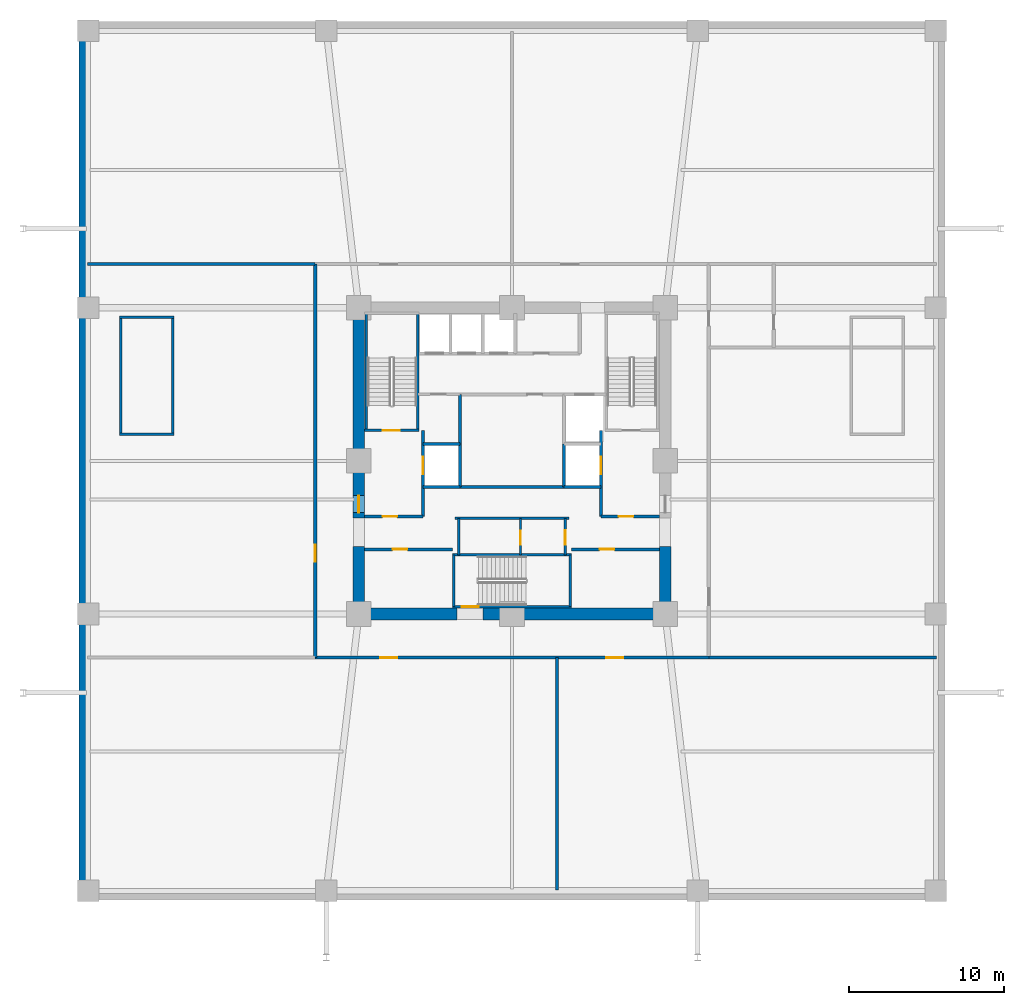
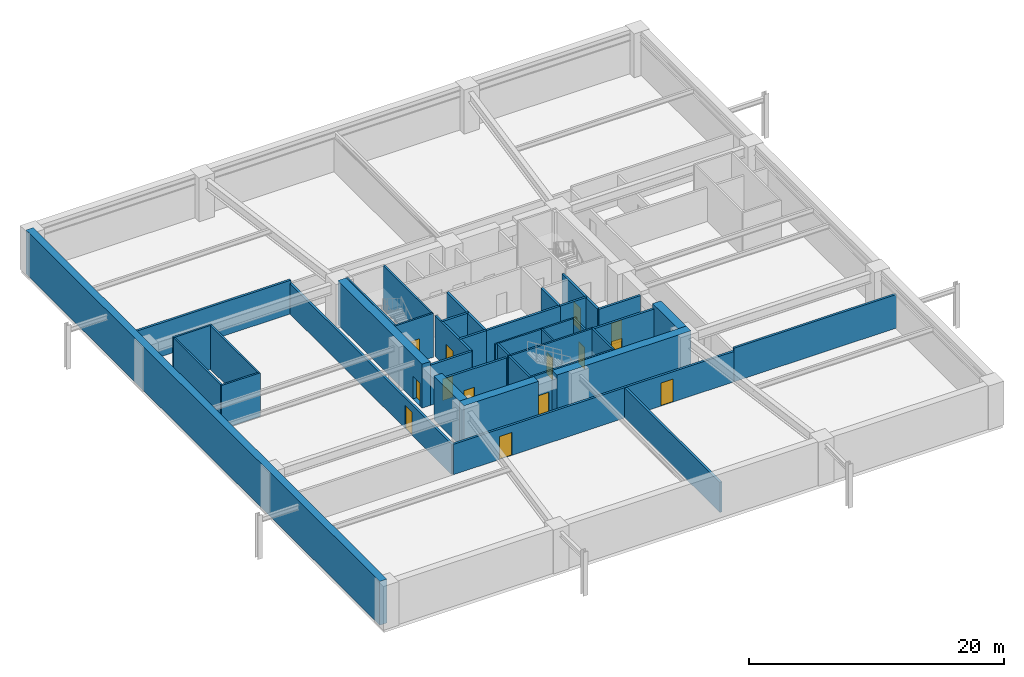
# One storey, part 2 of 5: 39 walls, 14 doors, 14 openings.
"""IFC4 building model written with IfcOpenShell, lengths in metres."""

import ifcopenshell
import ifcopenshell.guid

model = None  # the IFC model being written
_history = None  # IfcOwnerHistory: only IFC2X3 demands one
_inside = {}  # id of a spatial element -> (the spatial element, [elements in it])
_under = {}  # id of a project, library or spatial element -> (it, [spatial elements below it])
_declared = {}  # id of a project -> (the project, [libraries it declares])
_typed = {}  # id of a type object -> (the type object, [elements of that type])
_made_of = {}  # id of a material, layer set ... -> (it, [elements and type objects made of it])


def new_model(schema):
    """Start an empty IFC model of exactly this schema.

    Asked for "IFC4X3", IfcOpenShell would pick the latest addendum, in which some entities
    have other attributes; the version numbers below select the first issue.
    IFC2X3 requires an IfcOwnerHistory on every rooted entity: one is made here for all.
    """
    global model, _history
    if schema == "IFC4X3":
        model = ifcopenshell.file(schema_version=(4, 3, 0, 0))
    else:
        model = ifcopenshell.file(schema=schema)
    _inside.clear()
    _under.clear()
    _declared.clear()
    _typed.clear()
    _made_of.clear()
    _history = None
    if model.schema == "IFC2X3":
        org = make("IfcOrganization", Name="unknown")
        user = make(
            "IfcPersonAndOrganization",
            ThePerson=make("IfcPerson", FamilyName="unknown"),
            TheOrganization=org,
        )
        app = make(
            "IfcApplication",
            ApplicationDeveloper=org,
            Version="unknown",
            ApplicationFullName="unknown",
            ApplicationIdentifier="unknown",
        )
        _history = make(
            "IfcOwnerHistory",
            OwningUser=user,
            OwningApplication=app,
            ChangeAction="ADDED",
            CreationDate=0,
        )
    return model


def make(cls, **values):
    """One entity of the class cls with the attributes given. An attribute that is None is left unset."""
    return model.create_entity(
        cls, **{name: value for name, value in values.items() if value is not None}
    )


def rooted(cls, **values):
    """An entity with a GlobalId (a new one), such as an element, a storey or a relation."""
    return make(cls, GlobalId=ifcopenshell.guid.new(), OwnerHistory=_history, **values)


def si_unit(unit_type, name, prefix=None):
    """IfcSIUnit, for example si_unit("LENGTHUNIT", "METRE", prefix="MILLI")."""
    return make("IfcSIUnit", UnitType=unit_type, Prefix=prefix, Name=name)


def assignment(units):
    """IfcUnitAssignment: the units of a project."""
    return None if units is None else make("IfcUnitAssignment", Units=units)


def point(xyz):
    """IfcCartesianPoint."""
    return None if xyz is None else make("IfcCartesianPoint", Coordinates=xyz)


def direction(xyz):
    """IfcDirection."""
    return None if xyz is None else make("IfcDirection", DirectionRatios=xyz)


def frame(location, z_axis=None, x_axis=None):
    """IfcAxis2Placement3D, a coordinate frame: its origin and axes. An axis left out is left unset."""
    return make(
        "IfcAxis2Placement3D",
        Location=point(location),
        Axis=direction(z_axis),
        RefDirection=direction(x_axis),
    )


def frame_2d(location, x_axis=None):
    """IfcAxis2Placement2D, a coordinate frame in the plane: its origin and x axis."""
    return make(
        "IfcAxis2Placement2D", Location=point(location), RefDirection=direction(x_axis)
    )


def origin():
    """The frame at (0, 0, 0) with its axes left unset."""
    return frame((0.0, 0.0, 0.0))


def place(relative_to, where):
    """IfcLocalPlacement: puts the frame where relative to a parent placement (None: the world)."""
    return make(
        "IfcLocalPlacement", PlacementRelTo=relative_to, RelativePlacement=where
    )


def context(
    kind, dimensions, precision=None, world=None, true_north=None, identifier=None
):
    """IfcGeometricRepresentationContext, for example the 3D "Model" context."""
    return make(
        "IfcGeometricRepresentationContext",
        ContextIdentifier=identifier,
        ContextType=kind,
        CoordinateSpaceDimension=dimensions,
        Precision=precision,
        WorldCoordinateSystem=world,
        TrueNorth=true_north,
    )


def subcontext(parent, identifier, kind, view, scale=None):
    """IfcGeometricRepresentationSubContext, for example "Body" below "Model"."""
    return make(
        "IfcGeometricRepresentationSubContext",
        ContextIdentifier=identifier,
        ContextType=kind,
        ParentContext=parent,
        TargetScale=scale,
        TargetView=view,
    )


def project(units=None, contexts=None):
    """IfcProject with its units and contexts."""
    return rooted(
        "IfcProject",
        Name="project",
        RepresentationContexts=contexts,
        UnitsInContext=assignment(units),
    )


def spatial(cls, under=None, at=None, **own):
    """A site, building, storey or space (cls), placed at a placement, below another one or the project."""
    s = rooted(cls, ObjectPlacement=at, **own)
    if under is not None:
        _under.setdefault(under.id(), (under, []))[1].append(s)
    return s


def profile(cls, at=None, kind="AREA", **sizes):
    """A parametric profile (cls). Its sizes go by their IFC names, for example OverallWidth=200.0."""
    return make(cls, ProfileType=kind, Position=at, **sizes)


def rectangle(**sizes):
    """IfcRectangleProfileDef."""
    return profile("IfcRectangleProfileDef", **sizes)


def extrude(swept, where, along, depth):
    """IfcExtrudedAreaSolid: the profile swept, set in the frame where, extruded along a direction by depth."""
    return make(
        "IfcExtrudedAreaSolid",
        SweptArea=swept,
        Position=where,
        ExtrudedDirection=direction(along),
        Depth=depth,
    )


def shape(context_of_items, identifier, shape_type, items):
    """IfcShapeRepresentation: the items that make up one representation, for example the "Body"."""
    return make(
        "IfcShapeRepresentation",
        ContextOfItems=context_of_items,
        RepresentationIdentifier=identifier,
        RepresentationType=shape_type,
        Items=items,
    )


def material(Name=None, Category=None):
    """IfcMaterial."""
    return make("IfcMaterial", Name=Name, Category=Category)


def layer(
    of_material, thickness, ventilated=None, Name=None, Category=None, Priority=None
):
    """IfcMaterialLayer: one layer of a wall or slab, of a material (None: an air gap)."""
    return make(
        "IfcMaterialLayer",
        Material=of_material,
        LayerThickness=thickness,
        IsVentilated=ventilated,
        Name=Name,
        Category=Category,
        Priority=Priority,
    )


def layer_set(layers, Name=None):
    """IfcMaterialLayerSet."""
    return make("IfcMaterialLayerSet", MaterialLayers=layers, LayerSetName=Name)


def made_of(thing, what):
    """Note that an element or type object is made of a material, layer set ...; save() writes the relation."""
    if what is not None:
        _made_of.setdefault(what.id(), (what, []))[1].append(thing)
    return thing


def type_object(cls, material=None, **own):
    """A type object (cls), such as IfcWallType, which elements share."""
    return made_of(rooted(cls, **own), material)


def element(
    cls,
    number,
    at=None,
    inside=None,
    cuts=None,
    type_object=None,
    material=None,
    context=None,
    identifier="Body",
    shape_type=None,
    held_by="IfcProductDefinitionShape",
    body=None,
    shapes=None,
    **own,
):
    """One element of the class cls, such as IfcWall. Its Tag is "e" and its number.

    at: its placement. inside: the storey or other place that contains it. cuts: it is an
    opening in that element (IfcRelVoidsElement). A single representation is given by context,
    identifier, shape_type and body (its items); several are given by shapes. held_by: the class
    of the entity that holds the representations. save() writes the other relations.
    """
    e = rooted(cls, Tag="e%d" % number, ObjectPlacement=at, **own)
    if body is not None:
        shapes = [shape(context, identifier, shape_type, body)]
    if shapes is not None:
        e.Representation = make(held_by, Representations=shapes)
    if inside is not None:
        _inside.setdefault(inside.id(), (inside, []))[1].append(e)
    if cuts is not None:
        rooted(
            "IfcRelVoidsElement", RelatingBuildingElement=cuts, RelatedOpeningElement=e
        )
    if type_object is not None:
        _typed.setdefault(type_object.id(), (type_object, []))[1].append(e)
    return made_of(e, material)


def fill(opening, filler):
    """IfcRelFillsElement: the door or window that sits in an opening."""
    return rooted(
        "IfcRelFillsElement",
        RelatingOpeningElement=opening,
        RelatedBuildingElement=filler,
    )


def aggregate(whole, parts):
    """IfcRelAggregates: a whole, such as a stair, and the parts it consists of."""
    return rooted("IfcRelAggregates", RelatingObject=whole, RelatedObjects=parts)


def save(model, path):
    """Write the relations noted so far, then the file.

    IfcRelAggregates (storeys below a building ...), IfcRelContainedInSpatialStructure (elements
    in a storey), IfcRelDefinesByType, IfcRelAssociatesMaterial and IfcRelDeclares: one each for
    every whole, place, type object, material and project.
    """
    for whole, parts in _under.values():
        aggregate(whole, parts)
    for where, things in _inside.values():
        rooted(
            "IfcRelContainedInSpatialStructure",
            RelatedElements=things,
            RelatingStructure=where,
        )
    for kind, things in _typed.values():
        rooted("IfcRelDefinesByType", RelatedObjects=things, RelatingType=kind)
    for what, things in _made_of.values():
        rooted("IfcRelAssociatesMaterial", RelatedObjects=things, RelatingMaterial=what)
    for by, libraries in _declared.values():
        rooted("IfcRelDeclares", RelatingContext=by, RelatedDefinitions=libraries)
    model.write(path)


model = new_model("IFC4")

# Units and contexts
model_context = context("Model", 3, precision=1e-05, world=origin(), true_north=direction((0.0, 1.0)))
body_context = subcontext(model_context, "Body", "Model", "MODEL_VIEW")
ifc_project = project(units=[si_unit("LENGTHUNIT", "METRE"), si_unit("AREAUNIT", "SQUARE_METRE"), si_unit("VOLUMEUNIT", "CUBIC_METRE"), si_unit("PLANEANGLEUNIT", "RADIAN"), si_unit("MASSUNIT", "GRAM", prefix="KILO")], contexts=[model_context])

# Site, building, storey
site_placement = place(None, origin())
site = spatial("IfcSite", under=ifc_project, at=site_placement, CompositionType="ELEMENT")
building_placement = place(site_placement, origin())
building = spatial("IfcBuilding", under=site, at=building_placement, Name="Kolvaren Belvedere", CompositionType="ELEMENT")
storey_placement = place(building_placement, frame((0.0, 0.0, -4.199951171875)))
storey = spatial("IfcBuildingStorey", under=building, at=storey_placement, Name="B01", CompositionType="ELEMENT", Elevation=-4.199951171875)

# Walls
ifc_material_1 = material(Name="Concrete C60/75", Category="concrete")
ifc_layer_1 = layer(ifc_material_1, 0.75)
ifc_layer_set_1 = layer_set([ifc_layer_1], Name="Concrete C60/75")
wall_type_1 = type_object("IfcWallType", Name="CW-CORE-750", PredefinedType="SHEAR", material=ifc_layer_set_1)
wall_1_placement = place(storey_placement, frame((10.27490234375, -9.89990234375, 0.0), z_axis=(0.0, 0.0, 1.0), x_axis=(-1.0, 0.0, 0.0)))
element("IfcWall", 1, at=wall_1_placement, inside=storey, type_object=wall_type_1, Name="B01 South Core Shear Wall 1", PredefinedType="SHEAR", context=body_context, shape_type="SweptSolid", body=[
    extrude(rectangle(XDim=12.135009765625, YDim=0.75, at=frame_2d((6.0673828125, 0.0))), origin(), (0.0, 0.0, 1.0), 4.199951171875),
])
wall_2_placement = place(storey_placement, frame((-3.5400390625, -9.89990234375, 0.0), z_axis=(0.0, 0.0, 1.0), x_axis=(-1.0, 0.0, 0.0)))
element("IfcWall", 2, at=wall_2_placement, inside=storey, type_object=wall_type_1, Name="B01 South Core Shear Wall 2", PredefinedType="SHEAR", context=body_context, shape_type="SweptSolid", body=[
    extrude(rectangle(XDim=6.73486328125, YDim=0.75, at=frame_2d((3.367431640625, 0.0))), origin(), (0.0, 0.0, 1.0), 4.199951171875),
])
for number, where, z_axis, x_axis, name in (
    (3, (-9.89990234375, -9.52490234375, 0.0), (0.0, 0.0, 1.0), (0.0, 1.0, 0.0), "B01 West Core Shear Wall 1"),
    (4, (9.89990234375, -9.52490234375, 0.0), (0.0, 0.0, 1.0), (0.0, 1.0, 0.0), "B01 East Core Shear Wall 1"),
):
    element("IfcWall", number, at=place(storey_placement, frame(where, z_axis=z_axis, x_axis=x_axis)), inside=storey, type_object=wall_type_1, Name=name, PredefinedType="SHEAR", context=body_context, shape_type="SweptSolid", body=[
        extrude(rectangle(XDim=3.974853515625, YDim=0.75, at=frame_2d((1.9873046875, 0.0))), origin(), (0.0, 0.0, 1.0), 4.199951171875),
    ])

# Wall, opening, door
wall_3_placement = place(storey_placement, frame((-9.89990234375, -3.699951171875, 0.0), z_axis=(0.0, 0.0, 1.0), x_axis=(0.0, 1.0, 0.0)))
wall_3 = element("IfcWall", 5, at=wall_3_placement, inside=storey, type_object=wall_type_1, Name="B01 West Core Shear Wall 2", PredefinedType="SHEAR", context=body_context, shape_type="SweptSolid", body=[
    extrude(rectangle(XDim=13.224853515625, YDim=0.75, at=frame_2d((6.6123046875, 0.0))), origin(), (0.0, 0.0, 1.0), 4.199951171875),
])
opening_1_placement = place(wall_3_placement, frame((0.35009765625, 0.0, 0.0)))
opening_1 = element("IfcOpeningElement", 6, at=opening_1_placement, cuts=wall_3, Name="Opening D-FD90", PredefinedType="OPENING", context=body_context, shape_type="SweptSolid", body=[
    extrude(rectangle(XDim=1.10009765625, YDim=2.199951171875, at=frame_2d((0.550048828125, 1.10009765625))), frame((0.0, 0.385009765625, 0.0), z_axis=(0.0, -1.0, 0.0), x_axis=(1.0, 0.0, 0.0)), (0.0, 0.0, 1.0), 0.77001953125),
])
ifc_material_2 = material(Name="Painted hollow stainless steel", Category="steel")
door_type_1 = type_object("IfcDoorType", Name="DR-FD90-1100", OperationType="NOTDEFINED", PredefinedType="DOOR", material=ifc_material_2)
door_1_placement = place(opening_1_placement, origin())
door_1 = element("IfcDoor", 7, at=door_1_placement, inside=storey, type_object=door_type_1, Name="B01 West Firefighting Lobby Fire Door", OperationType="SINGLE_SWING_LEFT", OverallHeight=2.199951171875, OverallWidth=1.10009765625, PredefinedType="DOOR", context=body_context, shape_type="SweptSolid", body=[
    extrude(rectangle(XDim=1.10009765625, YDim=2.199951171875, at=frame_2d((0.550048828125, 1.10009765625))), frame((0.0, 0.02490234375, 0.0), z_axis=(0.0, -1.0, 0.0), x_axis=(1.0, 0.0, 0.0)), (0.0, 0.0, 1.0), 0.050048828125),
])
fill(opening_1, door_1)

# Walls
ifc_material_3 = material(Name="Concrete C50/60", Category="concrete")
ifc_layer_2 = layer(ifc_material_3, 0.159912109375)
ifc_layer_set_2 = layer_set([ifc_layer_2], Name="Concrete C50/60")
wall_type_2 = type_object("IfcWallType", Name="CW-STAIR-160", PredefinedType="SHEAR", material=ifc_layer_set_2)
for number, where, z_axis, x_axis, name in (
    (8, (-25.360107421875, 1.719970703125, 0.0), (0.0, 0.0, 1.0), (1.0, 0.0, 0.0), "B01 Podium Stair ST-P1 Support Wall S"),
    (9, (-25.360107421875, 9.280029296875, 0.0), (0.0, 0.0, 1.0), (1.0, 0.0, 0.0), "B01 Podium Stair ST-P1 Support Wall N"),
):
    element("IfcWall", number, at=place(storey_placement, frame(where, z_axis=z_axis, x_axis=x_axis)), inside=storey, type_object=wall_type_2, Name=name, PredefinedType="SHEAR", context=body_context, shape_type="SweptSolid", body=[
        extrude(rectangle(XDim=3.510009765625, YDim=0.159912109375, at=frame_2d((1.7548828125, 0.0))), origin(), (0.0, 0.0, 1.0), 4.199951171875),
    ])
for number, where, z_axis, x_axis, name in (
    (10, (-25.280029296875, 1.800048828125, 0.0), (0.0, 0.0, 1.0), (0.0, 1.0, 0.0), "B01 Podium Stair ST-P1 Support Wall W"),
    (11, (-21.929931640625, 1.800048828125, 0.0), (0.0, 0.0, 1.0), (0.0, 1.0, 0.0), "B01 Podium Stair ST-P1 Support Wall E"),
):
    element("IfcWall", number, at=place(storey_placement, frame(where, z_axis=z_axis, x_axis=x_axis)), inside=storey, type_object=wall_type_2, Name=name, PredefinedType="SHEAR", context=body_context, shape_type="SweptSolid", body=[
        extrude(rectangle(XDim=7.39990234375, YDim=0.159912109375, at=frame_2d((3.699951171875, 0.0))), origin(), (0.0, 0.0, 1.0), 4.199951171875),
    ])

# Wall, opening, door
wall_4_placement = place(storey_placement, frame((-9.52001953125, 1.969970703125, 0.0), z_axis=(0.0, 0.0, 1.0), x_axis=(1.0, 0.0, 0.0)))
wall_4 = element("IfcWall", 12, at=wall_4_placement, inside=storey, type_object=wall_type_2, Name="B01 Stair ST-1 South Shear Wall", PredefinedType="SHEAR", context=body_context, shape_type="SweptSolid", body=[
    extrude(rectangle(XDim=3.52001953125, YDim=0.159912109375, at=frame_2d((1.760009765625, 0.0))), origin(), (0.0, 0.0, 1.0), 4.199951171875),
])
opening_2_placement = place(wall_4_placement, frame((1.14990234375, 0.0, 0.0)))
opening_2 = element("IfcOpeningElement", 13, at=opening_2_placement, cuts=wall_4, Name="Opening D-FD90", PredefinedType="OPENING", context=body_context, shape_type="SweptSolid", body=[
    extrude(rectangle(XDim=1.10009765625, YDim=2.199951171875, at=frame_2d((0.550048828125, 1.10009765625))), frame((0.0, 0.08984375, 0.0), z_axis=(0.0, -1.0, 0.0), x_axis=(1.0, 0.0, 0.0)), (0.0, 0.0, 1.0), 0.179931640625),
])
door_2_placement = place(opening_2_placement, origin())
door_2 = element("IfcDoor", 14, at=door_2_placement, inside=storey, type_object=door_type_1, Name="B01 Stair ST-1 Fire Door", OperationType="SINGLE_SWING_LEFT", OverallHeight=2.199951171875, OverallWidth=1.10009765625, PredefinedType="DOOR", context=body_context, shape_type="SweptSolid", body=[
    extrude(rectangle(XDim=1.10009765625, YDim=2.199951171875, at=frame_2d((0.550048828125, 1.10009765625))), frame((0.0, 0.02490234375, 0.0), z_axis=(0.0, -1.0, 0.0), x_axis=(1.0, 0.0, 0.0)), (0.0, 0.0, 1.0), 0.050048828125),
])
fill(opening_2, door_2)

# Walls
for number, where, z_axis, x_axis, name in (
    (15, (-9.429931640625, 1.969970703125, 0.0), (0.0, 0.0, 1.0), (0.0, 1.0, 0.0), "B01 Stair ST-1 West Shear Wall"),
    (16, (-6.080078125, 1.969970703125, 0.0), (0.0, 0.0, 1.0), (0.0, 1.0, 0.0), "B01 Stair ST-1 East Shear Wall"),
):
    element("IfcWall", number, at=place(storey_placement, frame(where, z_axis=z_axis, x_axis=x_axis)), inside=storey, type_object=wall_type_2, Name=name, PredefinedType="SHEAR", context=body_context, shape_type="SweptSolid", body=[
        extrude(rectangle(XDim=7.56005859375, YDim=0.159912109375, at=frame_2d((3.780029296875, 0.0))), origin(), (0.0, 0.0, 1.0), 4.199951171875),
    ])

# Wall, opening, door
wall_5_placement = place(storey_placement, frame((3.860107421875, -9.429931640625, 0.0), z_axis=(0.0, 0.0, 1.0), x_axis=(-1.0, 0.0, 0.0)))
wall_5 = element("IfcWall", 17, at=wall_5_placement, inside=storey, type_object=wall_type_2, Name="B01 Stair ST-3 South Shear Wall", PredefinedType="SHEAR", context=body_context, shape_type="SweptSolid", body=[
    extrude(rectangle(XDim=7.72021484375, YDim=0.159912109375, at=frame_2d((3.860107421875, 0.0))), origin(), (0.0, 0.0, 1.0), 4.199951171875),
])
opening_3_placement = place(wall_5_placement, frame((6.010009765625, 0.0, 0.0)))
opening_3 = element("IfcOpeningElement", 18, at=opening_3_placement, cuts=wall_5, Name="Opening D-FD90", PredefinedType="OPENING", context=body_context, shape_type="SweptSolid", body=[
    extrude(rectangle(XDim=1.10009765625, YDim=2.199951171875, at=frame_2d((0.550048828125, 1.10009765625))), frame((0.0, 0.08984375, 0.0), z_axis=(0.0, -1.0, 0.0), x_axis=(1.0, 0.0, 0.0)), (0.0, 0.0, 1.0), 0.179931640625),
])
door_3_placement = place(opening_3_placement, origin())
door_3 = element("IfcDoor", 19, at=door_3_placement, inside=storey, type_object=door_type_1, Name="B01 Stair ST-3 Exit Door", OperationType="SINGLE_SWING_RIGHT", OverallHeight=2.199951171875, OverallWidth=1.10009765625, PredefinedType="DOOR", context=body_context, shape_type="SweptSolid", body=[
    extrude(rectangle(XDim=1.10009765625, YDim=2.199951171875, at=frame_2d((0.550048828125, 1.10009765625))), frame((0.0, 0.02490234375, 0.0), z_axis=(0.0, -1.0, 0.0), x_axis=(1.0, 0.0, 0.0)), (0.0, 0.0, 1.0), 0.050048828125),
])
fill(opening_3, door_3)

# Walls
wall_6_placement = place(storey_placement, frame((-3.860107421875, -6.080078125, 0.0), z_axis=(0.0, 0.0, 1.0), x_axis=(1.0, 0.0, 0.0)))
element("IfcWall", 20, at=wall_6_placement, inside=storey, type_object=wall_type_2, Name="B01 Stair ST-3 North Shear Wall", PredefinedType="SHEAR", context=body_context, shape_type="SweptSolid", body=[
    extrude(rectangle(XDim=7.72021484375, YDim=0.159912109375, at=frame_2d((3.860107421875, 0.0))), origin(), (0.0, 0.0, 1.0), 4.199951171875),
])
for number, where, z_axis, x_axis, name in (
    (21, (-3.780029296875, -9.429931640625, 0.0), (0.0, 0.0, 1.0), (0.0, 1.0, 0.0), "B01 Stair ST-3 West Shear Wall"),
    (22, (3.780029296875, -9.429931640625, 0.0), (0.0, 0.0, 1.0), (0.0, 1.0, 0.0), "B01 Stair ST-3 East Shear Wall"),
):
    element("IfcWall", number, at=place(storey_placement, frame(where, z_axis=z_axis, x_axis=x_axis)), inside=storey, type_object=wall_type_2, Name=name, PredefinedType="SHEAR", context=body_context, shape_type="SweptSolid", body=[
        extrude(rectangle(XDim=3.349853515625, YDim=0.159912109375, at=frame_2d((1.6748046875, 0.0))), origin(), (0.0, 0.0, 1.0), 4.199951171875),
    ])
ifc_material_4 = material(Name="Concrete C50/60", Category="concrete")
ifc_layer_3 = layer(ifc_material_4, 0.64990234375)
ifc_layer_set_3 = layer_set([ifc_layer_3], Name="Concrete C50/60")
wall_type_3 = type_object("IfcWallType", Name="RW-BASE-650", PredefinedType="SHEAR", material=ifc_layer_set_3)
wall_7_placement = place(storey_placement, frame((-27.675048828125, -27.75, 0.0), z_axis=(0.0, 0.0, 1.0), x_axis=(0.0, 1.0, 0.0)))
element("IfcWall", 23, at=wall_7_placement, inside=storey, type_object=wall_type_3, Name="B01 West Perimeter Retaining Wall", PredefinedType="SHEAR", context=body_context, shape_type="SweptSolid", body=[
    extrude(rectangle(XDim=55.5, YDim=0.64990234375, at=frame_2d((27.75, 0.0))), origin(), (0.0, 0.0, 1.0), 4.199951171875),
])
ifc_material_5 = material(Name="Gypsum acoustic partition assembly", Category="gypsum")
ifc_layer_4 = layer(ifc_material_5, 0.14990234375)
ifc_layer_set_4 = layer_set([ifc_layer_4], Name="Gypsum acoustic partition assembly")
wall_type_4 = type_object("IfcWallType", Name="WL-PART-150", PredefinedType="PARTITIONING", material=ifc_layer_set_4)
wall_8_placement = place(storey_placement, frame((-3.679931640625, -3.719970703125, 0.0), z_axis=(0.0, 0.0, 1.0), x_axis=(1.0, 0.0, 0.0)))
element("IfcWall", 24, at=wall_8_placement, inside=storey, type_object=wall_type_4, Name="B01 South Core Service North Wall", PredefinedType="PARTITIONING", context=body_context, shape_type="SweptSolid", body=[
    extrude(rectangle(XDim=7.35986328125, YDim=0.14990234375, at=frame_2d((3.679931640625, 0.0))), origin(), (0.0, 0.0, 1.0), 3.849853515625),
])

# Wall, opening, door
wall_9_placement = place(storey_placement, frame((3.449951171875, -6.080078125, 0.0), z_axis=(0.0, 0.0, 1.0), x_axis=(0.0, 1.0, 0.0)))
wall_9 = element("IfcWall", 25, at=wall_9_placement, inside=storey, type_object=wall_type_4, Name="B01 South Core Service East Wall", PredefinedType="PARTITIONING", context=body_context, shape_type="SweptSolid", body=[
    extrude(rectangle(XDim=2.360107421875, YDim=0.14990234375, at=frame_2d((1.18017578125, 0.0))), origin(), (0.0, 0.0, 1.0), 3.849853515625),
])
opening_4_placement = place(wall_9_placement, frame((0.64990234375, 0.0, 0.0)))
opening_4 = element("IfcOpeningElement", 26, at=opening_4_placement, cuts=wall_9, Name="Opening D-FD60", PredefinedType="OPENING", context=body_context, shape_type="SweptSolid", body=[
    extrude(rectangle(XDim=0.949951171875, YDim=2.06005859375, at=frame_2d((0.47509765625, 1.030029296875))), frame((0.0, 0.0849609375, 0.0), z_axis=(0.0, -1.0, 0.0), x_axis=(1.0, 0.0, 0.0)), (0.0, 0.0, 1.0), 0.169921875),
])
ifc_material_6 = material(Name="Acoustic white-oak fire door leaf", Category="timber")
door_type_2 = type_object("IfcDoorType", Name="DR-FD60-950", OperationType="NOTDEFINED", PredefinedType="DOOR", material=ifc_material_6)
door_4_placement = place(opening_4_placement, origin())
door_4 = element("IfcDoor", 27, at=door_4_placement, inside=storey, type_object=door_type_2, Name="B01 Core Service Room Door", OperationType="SINGLE_SWING_LEFT", OverallHeight=2.06005859375, OverallWidth=0.949951171875, PredefinedType="DOOR", context=body_context, shape_type="SweptSolid", body=[
    extrude(rectangle(XDim=0.949951171875, YDim=2.06005859375, at=frame_2d((0.47509765625, 1.030029296875))), frame((0.0, 0.02490234375, 0.0), z_axis=(0.0, -1.0, 0.0), x_axis=(1.0, 0.0, 0.0)), (0.0, 0.0, 1.0), 0.050048828125),
])
fill(opening_4, door_4)

# Wall
wall_10_placement = place(storey_placement, frame((-3.449951171875, -6.080078125, 0.0), z_axis=(0.0, 0.0, 1.0), x_axis=(0.0, 1.0, 0.0)))
element("IfcWall", 28, at=wall_10_placement, inside=storey, type_object=wall_type_4, Name="B01 South Core Service West Wall", PredefinedType="PARTITIONING", context=body_context, shape_type="SweptSolid", body=[
    extrude(rectangle(XDim=2.360107421875, YDim=0.14990234375, at=frame_2d((1.18017578125, 0.0))), origin(), (0.0, 0.0, 1.0), 3.849853515625),
])

# Wall, opening, door
wall_11_placement = place(storey_placement, frame((0.550048828125, -6.080078125, 0.0), z_axis=(0.0, 0.0, 1.0), x_axis=(0.0, 1.0, 0.0)))
wall_11 = element("IfcWall", 29, at=wall_11_placement, inside=storey, type_object=wall_type_4, Name="B01 Core Service Divider", PredefinedType="PARTITIONING", context=body_context, shape_type="SweptSolid", body=[
    extrude(rectangle(XDim=2.360107421875, YDim=0.14990234375, at=frame_2d((1.18017578125, 0.0))), origin(), (0.0, 0.0, 1.0), 3.849853515625),
])
opening_5_placement = place(wall_11_placement, frame((0.64990234375, 0.0, 0.0)))
opening_5 = element("IfcOpeningElement", 30, at=opening_5_placement, cuts=wall_11, Name="Opening D-INT90", PredefinedType="OPENING", context=body_context, shape_type="SweptSolid", body=[
    extrude(rectangle(XDim=0.89990234375, YDim=2.06005859375, at=frame_2d((0.449951171875, 1.030029296875))), frame((0.0, 0.0849609375, 0.0), z_axis=(0.0, -1.0, 0.0), x_axis=(1.0, 0.0, 0.0)), (0.0, 0.0, 1.0), 0.169921875),
])
ifc_material_7 = material(Name="Stained Pacific white oak", Category="timber")
door_type_3 = type_object("IfcDoorType", Name="DR-INT-900", OperationType="NOTDEFINED", PredefinedType="DOOR", material=ifc_material_7)
door_5_placement = place(opening_5_placement, origin())
door_5 = element("IfcDoor", 31, at=door_5_placement, inside=storey, type_object=door_type_3, Name="B01 BMS Inner Door", OperationType="SINGLE_SWING_LEFT", OverallHeight=2.06005859375, OverallWidth=0.89990234375, PredefinedType="DOOR", context=body_context, shape_type="SweptSolid", body=[
    extrude(rectangle(XDim=0.89990234375, YDim=2.06005859375, at=frame_2d((0.449951171875, 1.030029296875))), frame((0.0, 0.02490234375, 0.0), z_axis=(0.0, -1.0, 0.0), x_axis=(1.0, 0.0, 0.0)), (0.0, 0.0, 1.0), 0.050048828125),
])
fill(opening_5, door_5)

ifc_material_8 = material(Name="Concrete C50/60", Category="concrete")
ifc_layer_5 = layer(ifc_material_8, 0.199951171875)
ifc_layer_set_5 = layer_set([ifc_layer_5], Name="Concrete C50/60")
wall_type_5 = type_object("IfcWallType", Name="WL-SHAFT-200", PredefinedType="SOLIDWALL", material=ifc_layer_set_5)
wall_12_placement = place(storey_placement, frame((-9.52001953125, -3.60009765625, 0.0), z_axis=(0.0, 0.0, 1.0), x_axis=(1.0, 0.0, 0.0)))
wall_12 = element("IfcWall", 32, at=wall_12_placement, inside=storey, type_object=wall_type_5, Name="B01 West FSAE Lobby South Wall", PredefinedType="SOLIDWALL", context=body_context, shape_type="SweptSolid", body=[
    extrude(rectangle(XDim=3.77001953125, YDim=0.199951171875, at=frame_2d((1.885009765625, 0.0))), origin(), (0.0, 0.0, 1.0), 3.849853515625),
])
opening_6_placement = place(wall_12_placement, frame((1.14990234375, 0.0, 0.0)))
opening_6 = element("IfcOpeningElement", 33, at=opening_6_placement, cuts=wall_12, Name="Opening D-FD60", PredefinedType="OPENING", context=body_context, shape_type="SweptSolid", body=[
    extrude(rectangle(XDim=0.949951171875, YDim=2.06005859375, at=frame_2d((0.47509765625, 1.030029296875))), frame((0.0, 0.10986328125, 0.0), z_axis=(0.0, -1.0, 0.0), x_axis=(1.0, 0.0, 0.0)), (0.0, 0.0, 1.0), 0.219970703125),
])
door_6_placement = place(opening_6_placement, origin())
door_6 = element("IfcDoor", 34, at=door_6_placement, inside=storey, type_object=door_type_2, Name="B01 SW Lift Lobby Fire Door", OperationType="SINGLE_SWING_LEFT", OverallHeight=2.06005859375, OverallWidth=0.949951171875, PredefinedType="DOOR", context=body_context, shape_type="SweptSolid", body=[
    extrude(rectangle(XDim=0.949951171875, YDim=2.06005859375, at=frame_2d((0.47509765625, 1.030029296875))), frame((0.0, 0.02490234375, 0.0), z_axis=(0.0, -1.0, 0.0), x_axis=(1.0, 0.0, 0.0)), (0.0, 0.0, 1.0), 0.050048828125),
])
fill(opening_6, door_6)

wall_13_placement = place(storey_placement, frame((-5.75, -3.60009765625, 0.0), z_axis=(0.0, 0.0, 1.0), x_axis=(0.0, 1.0, 0.0)))
wall_13 = element("IfcWall", 35, at=wall_13_placement, inside=storey, type_object=wall_type_5, Name="B01 FSAE FS1 Landing Wall", PredefinedType="SOLIDWALL", context=body_context, shape_type="SweptSolid", body=[
    extrude(rectangle(XDim=5.570068359375, YDim=0.199951171875, at=frame_2d((2.78515625, 0.0))), origin(), (0.0, 0.0, 1.0), 3.849853515625),
])
opening_7_placement = place(wall_13_placement, frame((2.75, 0.0, 0.0)))
opening_7 = element("IfcOpeningElement", 36, at=opening_7_placement, cuts=wall_13, Name="Opening LD-11", PredefinedType="OPENING", context=body_context, shape_type="SweptSolid", body=[
    extrude(rectangle(XDim=1.10009765625, YDim=2.199951171875, at=frame_2d((0.550048828125, 1.10009765625))), frame((0.0, 0.10986328125, 0.0), z_axis=(0.0, -1.0, 0.0), x_axis=(1.0, 0.0, 0.0)), (0.0, 0.0, 1.0), 0.219970703125),
])
ifc_material_9 = material(Name="Brushed stainless steel", Category="steel")
door_type_4 = type_object("IfcDoorType", Name="DR-LIFT-1100", OperationType="DOUBLE_DOOR_SLIDING", PredefinedType="DOOR", material=ifc_material_9)
door_7_placement = place(opening_7_placement, origin())
door_7 = element("IfcDoor", 37, at=door_7_placement, inside=storey, type_object=door_type_4, Name="B01 Firefighting Lift FS1 Landing Door", OperationType="DOUBLE_DOOR_SLIDING", OverallHeight=2.199951171875, OverallWidth=1.10009765625, PredefinedType="DOOR", context=body_context, shape_type="SweptSolid", body=[
    extrude(rectangle(XDim=1.10009765625, YDim=2.199951171875, at=frame_2d((0.550048828125, 1.10009765625))), frame((0.0, 0.02490234375, 0.0), z_axis=(0.0, -1.0, 0.0), x_axis=(1.0, 0.0, 0.0)), (0.0, 0.0, 1.0), 0.050048828125),
])
fill(opening_7, door_7)

# Walls
wall_14_placement = place(storey_placement, frame((-3.35009765625, -1.699951171875, 0.0), z_axis=(0.0, 0.0, 1.0), x_axis=(0.0, 1.0, 0.0)))
element("IfcWall", 38, at=wall_14_placement, inside=storey, type_object=wall_type_5, Name="B01 FSAE FS1 Back Wall", PredefinedType="SOLIDWALL", context=body_context, shape_type="SweptSolid", body=[
    extrude(rectangle(XDim=2.800048828125, YDim=0.199951171875, at=frame_2d((1.39990234375, 0.0))), origin(), (0.0, 0.0, 1.0), 3.849853515625),
])
for number, where, z_axis, x_axis, name in (
    (39, (-5.75, -1.699951171875, 0.0), (0.0, 0.0, 1.0), (1.0, 0.0, 0.0), "B01 FSAE FS1 South Wall"),
    (40, (-5.75, 1.10009765625, 0.0), (0.0, 0.0, 1.0), (1.0, 0.0, 0.0), "B01 FSAE FS1 North Wall"),
):
    element("IfcWall", number, at=place(storey_placement, frame(where, z_axis=z_axis, x_axis=x_axis)), inside=storey, type_object=wall_type_5, Name=name, PredefinedType="SOLIDWALL", context=body_context, shape_type="SweptSolid", body=[
        extrude(rectangle(XDim=2.39990234375, YDim=0.199951171875, at=frame_2d((1.199951171875, 0.0))), origin(), (0.0, 0.0, 1.0), 3.849853515625),
    ])

# Wall, opening, door
wall_15_placement = place(storey_placement, frame((5.75, -3.60009765625, 0.0), z_axis=(0.0, 0.0, 1.0), x_axis=(1.0, 0.0, 0.0)))
wall_15 = element("IfcWall", 41, at=wall_15_placement, inside=storey, type_object=wall_type_5, Name="B01 East FSAE Lobby South Wall", PredefinedType="SOLIDWALL", context=body_context, shape_type="SweptSolid", body=[
    extrude(rectangle(XDim=3.77001953125, YDim=0.199951171875, at=frame_2d((1.885009765625, 0.0))), origin(), (0.0, 0.0, 1.0), 3.849853515625),
])
opening_8_placement = place(wall_15_placement, frame((1.14990234375, 0.0, 0.0)))
opening_8 = element("IfcOpeningElement", 42, at=opening_8_placement, cuts=wall_15, Name="Opening D-FD60", PredefinedType="OPENING", context=body_context, shape_type="SweptSolid", body=[
    extrude(rectangle(XDim=0.949951171875, YDim=2.06005859375, at=frame_2d((0.47509765625, 1.030029296875))), frame((0.0, 0.10986328125, 0.0), z_axis=(0.0, -1.0, 0.0), x_axis=(1.0, 0.0, 0.0)), (0.0, 0.0, 1.0), 0.219970703125),
])
door_8_placement = place(opening_8_placement, origin())
door_8 = element("IfcDoor", 43, at=door_8_placement, inside=storey, type_object=door_type_2, Name="B01 SE Lift Lobby Fire Door", OperationType="SINGLE_SWING_RIGHT", OverallHeight=2.06005859375, OverallWidth=0.949951171875, PredefinedType="DOOR", context=body_context, shape_type="SweptSolid", body=[
    extrude(rectangle(XDim=0.949951171875, YDim=2.06005859375, at=frame_2d((0.47509765625, 1.030029296875))), frame((0.0, 0.02490234375, 0.0), z_axis=(0.0, -1.0, 0.0), x_axis=(1.0, 0.0, 0.0)), (0.0, 0.0, 1.0), 0.050048828125),
])
fill(opening_8, door_8)

wall_16_placement = place(storey_placement, frame((5.75, -3.60009765625, 0.0), z_axis=(0.0, 0.0, 1.0), x_axis=(0.0, 1.0, 0.0)))
wall_16 = element("IfcWall", 44, at=wall_16_placement, inside=storey, type_object=wall_type_5, Name="B01 FSAE FS2 Landing Wall", PredefinedType="SOLIDWALL", context=body_context, shape_type="SweptSolid", body=[
    extrude(rectangle(XDim=5.570068359375, YDim=0.199951171875, at=frame_2d((2.78515625, 0.0))), origin(), (0.0, 0.0, 1.0), 3.849853515625),
])
opening_9_placement = place(wall_16_placement, frame((2.75, 0.0, 0.0)))
opening_9 = element("IfcOpeningElement", 45, at=opening_9_placement, cuts=wall_16, Name="Opening LD-11", PredefinedType="OPENING", context=body_context, shape_type="SweptSolid", body=[
    extrude(rectangle(XDim=1.10009765625, YDim=2.199951171875, at=frame_2d((0.550048828125, 1.10009765625))), frame((0.0, 0.10986328125, 0.0), z_axis=(0.0, -1.0, 0.0), x_axis=(1.0, 0.0, 0.0)), (0.0, 0.0, 1.0), 0.219970703125),
])
door_9_placement = place(opening_9_placement, origin())
door_9 = element("IfcDoor", 46, at=door_9_placement, inside=storey, type_object=door_type_4, Name="B01 Firefighting Lift FS2 Landing Door", OperationType="DOUBLE_DOOR_SLIDING", OverallHeight=2.199951171875, OverallWidth=1.10009765625, PredefinedType="DOOR", context=body_context, shape_type="SweptSolid", body=[
    extrude(rectangle(XDim=1.10009765625, YDim=2.199951171875, at=frame_2d((0.550048828125, 1.10009765625))), frame((0.0, 0.02490234375, 0.0), z_axis=(0.0, -1.0, 0.0), x_axis=(1.0, 0.0, 0.0)), (0.0, 0.0, 1.0), 0.050048828125),
])
fill(opening_9, door_9)

# Walls
wall_17_placement = place(storey_placement, frame((3.35009765625, -1.699951171875, 0.0), z_axis=(0.0, 0.0, 1.0), x_axis=(0.0, 1.0, 0.0)))
element("IfcWall", 47, at=wall_17_placement, inside=storey, type_object=wall_type_5, Name="B01 FSAE FS2 Back Wall", PredefinedType="SOLIDWALL", context=body_context, shape_type="SweptSolid", body=[
    extrude(rectangle(XDim=2.800048828125, YDim=0.199951171875, at=frame_2d((1.39990234375, 0.0))), origin(), (0.0, 0.0, 1.0), 3.849853515625),
])
wall_18_placement = place(storey_placement, frame((3.35009765625, -1.699951171875, 0.0), z_axis=(0.0, 0.0, 1.0), x_axis=(1.0, 0.0, 0.0)))
element("IfcWall", 48, at=wall_18_placement, inside=storey, type_object=wall_type_5, Name="B01 FSAE FS2 South Wall", PredefinedType="SOLIDWALL", context=body_context, shape_type="SweptSolid", body=[
    extrude(rectangle(XDim=2.39990234375, YDim=0.199951171875, at=frame_2d((1.199951171875, 0.0))), origin(), (0.0, 0.0, 1.0), 3.849853515625),
])

# Wall, opening, door
wall_19_placement = place(storey_placement, frame((-9.52001953125, -5.719970703125, 0.0), z_axis=(0.0, 0.0, 1.0), x_axis=(1.0, 0.0, 0.0)))
wall_19 = element("IfcWall", 49, at=wall_19_placement, inside=storey, type_object=wall_type_5, Name="B01 SW Core Reserve Wall", PredefinedType="SOLIDWALL", context=body_context, shape_type="SweptSolid", body=[
    extrude(rectangle(XDim=5.659912109375, YDim=0.199951171875, at=frame_2d((2.830078125, 0.0))), origin(), (0.0, 0.0, 1.0), 3.849853515625),
])
opening_10_placement = place(wall_19_placement, frame((1.800048828125, 0.0, 0.0)))
opening_10 = element("IfcOpeningElement", 50, at=opening_10_placement, cuts=wall_19, Name="Opening D-FD60", PredefinedType="OPENING", context=body_context, shape_type="SweptSolid", body=[
    extrude(rectangle(XDim=0.949951171875, YDim=2.06005859375, at=frame_2d((0.47509765625, 1.030029296875))), frame((0.0, 0.10986328125, 0.0), z_axis=(0.0, -1.0, 0.0), x_axis=(1.0, 0.0, 0.0)), (0.0, 0.0, 1.0), 0.219970703125),
])
door_10_placement = place(opening_10_placement, origin())
door_10 = element("IfcDoor", 51, at=door_10_placement, inside=storey, type_object=door_type_2, Name="B01 SW Core Room Door", OperationType="SINGLE_SWING_LEFT", OverallHeight=2.06005859375, OverallWidth=0.949951171875, PredefinedType="DOOR", context=body_context, shape_type="SweptSolid", body=[
    extrude(rectangle(XDim=0.949951171875, YDim=2.06005859375, at=frame_2d((0.47509765625, 1.030029296875))), frame((0.0, 0.02490234375, 0.0), z_axis=(0.0, -1.0, 0.0), x_axis=(1.0, 0.0, 0.0)), (0.0, 0.0, 1.0), 0.050048828125),
])
fill(opening_10, door_10)

wall_20_placement = place(storey_placement, frame((3.860107421875, -5.719970703125, 0.0), z_axis=(0.0, 0.0, 1.0), x_axis=(1.0, 0.0, 0.0)))
wall_20 = element("IfcWall", 52, at=wall_20_placement, inside=storey, type_object=wall_type_5, Name="B01 SE Core Distribution Wall", PredefinedType="SOLIDWALL", context=body_context, shape_type="SweptSolid", body=[
    extrude(rectangle(XDim=5.659912109375, YDim=0.199951171875, at=frame_2d((2.830078125, 0.0))), origin(), (0.0, 0.0, 1.0), 3.849853515625),
])
opening_11_placement = place(wall_20_placement, frame((1.800048828125, 0.0, 0.0)))
opening_11 = element("IfcOpeningElement", 53, at=opening_11_placement, cuts=wall_20, Name="Opening D-FD60", PredefinedType="OPENING", context=body_context, shape_type="SweptSolid", body=[
    extrude(rectangle(XDim=0.949951171875, YDim=2.06005859375, at=frame_2d((0.47509765625, 1.030029296875))), frame((0.0, 0.10986328125, 0.0), z_axis=(0.0, -1.0, 0.0), x_axis=(1.0, 0.0, 0.0)), (0.0, 0.0, 1.0), 0.219970703125),
])
door_11_placement = place(opening_11_placement, origin())
door_11 = element("IfcDoor", 54, at=door_11_placement, inside=storey, type_object=door_type_2, Name="B01 Substructure Switchgear Mechanical Plant Door", OperationType="SINGLE_SWING_RIGHT", OverallHeight=2.06005859375, OverallWidth=0.949951171875, PredefinedType="DOOR", context=body_context, shape_type="SweptSolid", body=[
    extrude(rectangle(XDim=0.949951171875, YDim=2.06005859375, at=frame_2d((0.47509765625, 1.030029296875))), frame((0.0, 0.02490234375, 0.0), z_axis=(0.0, -1.0, 0.0), x_axis=(1.0, 0.0, 0.0)), (0.0, 0.0, 1.0), 0.050048828125),
])
fill(opening_11, door_11)

# Walls
wall_21_placement = place(storey_placement, frame((-3.35009765625, -1.699951171875, 0.0), z_axis=(0.0, 0.0, 1.0), x_axis=(1.0, 0.0, 0.0)))
element("IfcWall", 55, at=wall_21_placement, inside=storey, type_object=wall_type_5, Name="B01 Central Core Room South Wall", PredefinedType="SOLIDWALL", context=body_context, shape_type="SweptSolid", body=[
    extrude(rectangle(XDim=6.7001953125, YDim=0.199951171875, at=frame_2d((3.35009765625, 0.0))), origin(), (0.0, 0.0, 1.0), 3.849853515625),
])
wall_22_placement = place(storey_placement, frame((-3.35009765625, 1.10009765625, 0.0), z_axis=(0.0, 0.0, 1.0), x_axis=(0.0, 1.0, 0.0)))
element("IfcWall", 56, at=wall_22_placement, inside=storey, type_object=wall_type_5, Name="B01 Central Core Room West Wall", PredefinedType="SOLIDWALL", context=body_context, shape_type="SweptSolid", body=[
    extrude(rectangle(XDim=3.199951171875, YDim=0.199951171875, at=frame_2d((1.60009765625, 0.0))), origin(), (0.0, 0.0, 1.0), 3.849853515625),
])

# Wall, openings, doors
wall_23_placement = place(storey_placement, frame((-12.719970703125, -12.719970703125, 0.0), z_axis=(0.0, 0.0, 1.0), x_axis=(1.0, 0.0, 0.0)))
wall_23 = element("IfcWall", 57, at=wall_23_placement, inside=storey, type_object=wall_type_5, Name="B01 South Corridor Wall", PredefinedType="SOLIDWALL", context=body_context, shape_type="SweptSolid", body=[
    extrude(rectangle(XDim=25.43994140625, YDim=0.199951171875, at=frame_2d((12.719970703125, 0.0))), origin(), (0.0, 0.0, 1.0), 2.907958984375),
])
opening_12_placement = place(wall_23_placement, frame((4.199951171875, 0.0, 0.0)))
opening_12 = element("IfcOpeningElement", 58, at=opening_12_placement, cuts=wall_23, Name="Opening D-FD90", PredefinedType="OPENING", context=body_context, shape_type="SweptSolid", body=[
    extrude(rectangle(XDim=1.10009765625, YDim=2.199951171875, at=frame_2d((0.550048828125, 1.10009765625))), frame((0.0, 0.10986328125, 0.0), z_axis=(0.0, -1.0, 0.0), x_axis=(1.0, 0.0, 0.0)), (0.0, 0.0, 1.0), 0.219970703125),
])
opening_13_placement = place(wall_23_placement, frame((18.820068359375, 0.0, 0.0)))
opening_13 = element("IfcOpeningElement", 59, at=opening_13_placement, cuts=wall_23, Name="Opening D-FD90", PredefinedType="OPENING", context=body_context, shape_type="SweptSolid", body=[
    extrude(rectangle(XDim=1.10009765625, YDim=2.199951171875, at=frame_2d((0.550048828125, 1.10009765625))), frame((0.0, 0.10986328125, 0.0), z_axis=(0.0, -1.0, 0.0), x_axis=(1.0, 0.0, 0.0)), (0.0, 0.0, 1.0), 0.219970703125),
])
door_12_placement = place(opening_12_placement, origin())
door_12 = element("IfcDoor", 60, at=door_12_placement, inside=storey, type_object=door_type_1, Name="B01 Culinary Commissary Prep Kitchen Door", OperationType="SINGLE_SWING_LEFT", OverallHeight=2.199951171875, OverallWidth=1.10009765625, PredefinedType="DOOR", context=body_context, shape_type="SweptSolid", body=[
    extrude(rectangle(XDim=1.10009765625, YDim=2.199951171875, at=frame_2d((0.550048828125, 1.10009765625))), frame((0.0, 0.02490234375, 0.0), z_axis=(0.0, -1.0, 0.0), x_axis=(1.0, 0.0, 0.0)), (0.0, 0.0, 1.0), 0.050048828125),
])
fill(opening_12, door_12)
door_13_placement = place(opening_13_placement, origin())
door_13 = element("IfcDoor", 61, at=door_13_placement, inside=storey, type_object=door_type_1, Name="B01 Dry Goods & Beverage Bonded Store Door", OperationType="SINGLE_SWING_RIGHT", OverallHeight=2.199951171875, OverallWidth=1.10009765625, PredefinedType="DOOR", context=body_context, shape_type="SweptSolid", body=[
    extrude(rectangle(XDim=1.10009765625, YDim=2.199951171875, at=frame_2d((0.550048828125, 1.10009765625))), frame((0.0, 0.02490234375, 0.0), z_axis=(0.0, -1.0, 0.0), x_axis=(1.0, 0.0, 0.0)), (0.0, 0.0, 1.0), 0.050048828125),
])
fill(opening_13, door_13)

# Wall, opening, door
wall_24_placement = place(storey_placement, frame((-12.719970703125, -12.719970703125, 0.0), z_axis=(0.0, 0.0, 1.0), x_axis=(0.0, 1.0, 0.0)))
wall_24 = element("IfcWall", 62, at=wall_24_placement, inside=storey, type_object=wall_type_5, Name="B01 West Corridor Wall", PredefinedType="SOLIDWALL", context=body_context, shape_type="SweptSolid", body=[
    extrude(rectangle(XDim=25.43994140625, YDim=0.199951171875, at=frame_2d((12.719970703125, 0.0))), origin(), (0.0, 0.0, 1.0), 2.907958984375),
])
opening_14_placement = place(wall_24_placement, frame((6.199951171875, 0.0, 0.0)))
opening_14 = element("IfcOpeningElement", 63, at=opening_14_placement, cuts=wall_24, Name="Opening D-FD90", PredefinedType="OPENING", context=body_context, shape_type="SweptSolid", body=[
    extrude(rectangle(XDim=1.10009765625, YDim=2.199951171875, at=frame_2d((0.550048828125, 1.10009765625))), frame((0.0, 0.10986328125, 0.0), z_axis=(0.0, -1.0, 0.0), x_axis=(1.0, 0.0, 0.0)), (0.0, 0.0, 1.0), 0.219970703125),
])
door_14_placement = place(opening_14_placement, origin())
door_14 = element("IfcDoor", 64, at=door_14_placement, inside=storey, type_object=door_type_1, Name="B01 Security & Automation Mechanical Plant Door", OperationType="SINGLE_SWING_LEFT", OverallHeight=2.199951171875, OverallWidth=1.10009765625, PredefinedType="DOOR", context=body_context, shape_type="SweptSolid", body=[
    extrude(rectangle(XDim=1.10009765625, YDim=2.199951171875, at=frame_2d((0.550048828125, 1.10009765625))), frame((0.0, 0.02490234375, 0.0), z_axis=(0.0, -1.0, 0.0), x_axis=(1.0, 0.0, 0.0)), (0.0, 0.0, 1.0), 0.050048828125),
])
fill(opening_14, door_14)

# Walls
for number, where, z_axis, x_axis, name in (
    (65, (12.719970703125, -12.719970703125, 0.0), (0.0, 0.0, 1.0), (1.0, 0.0, 0.0), "B01 Sector Wall PW-B01-QSE"),
    (66, (-27.43994140625, 12.719970703125, 0.0), (0.0, 0.0, 1.0), (1.0, 0.0, 0.0), "B01 Sector Wall PW-B01-QNW"),
):
    element("IfcWall", number, at=place(storey_placement, frame(where, z_axis=z_axis, x_axis=x_axis)), inside=storey, type_object=wall_type_5, Name=name, PredefinedType="SOLIDWALL", context=body_context, shape_type="SweptSolid", body=[
        extrude(rectangle(XDim=14.719970703125, YDim=0.199951171875, at=frame_2d((7.35986328125, 0.0))), origin(), (0.0, 0.0, 1.0), 3.218994140625),
    ])
wall_25_placement = place(storey_placement, frame((2.89990234375, -27.75, 0.0), z_axis=(0.0, 0.0, 1.0), x_axis=(0.0, 1.0, 0.0)))
element("IfcWall", 67, at=wall_25_placement, inside=storey, type_object=wall_type_5, Name="B01 South Plant Divider", PredefinedType="SOLIDWALL", context=body_context, shape_type="SweptSolid", body=[
    extrude(rectangle(XDim=15.030029296875, YDim=0.199951171875, at=frame_2d((7.51513671875, 0.0))), origin(), (0.0, 0.0, 1.0), 2.886962890625),
])

save(model, "model.ifc")
